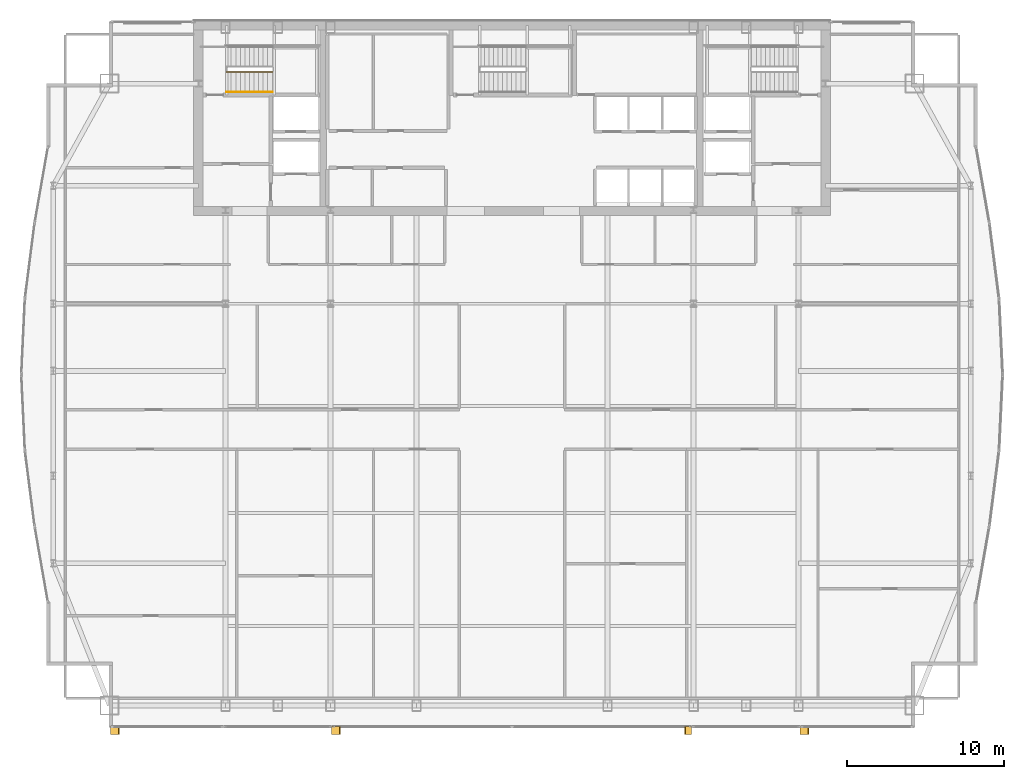
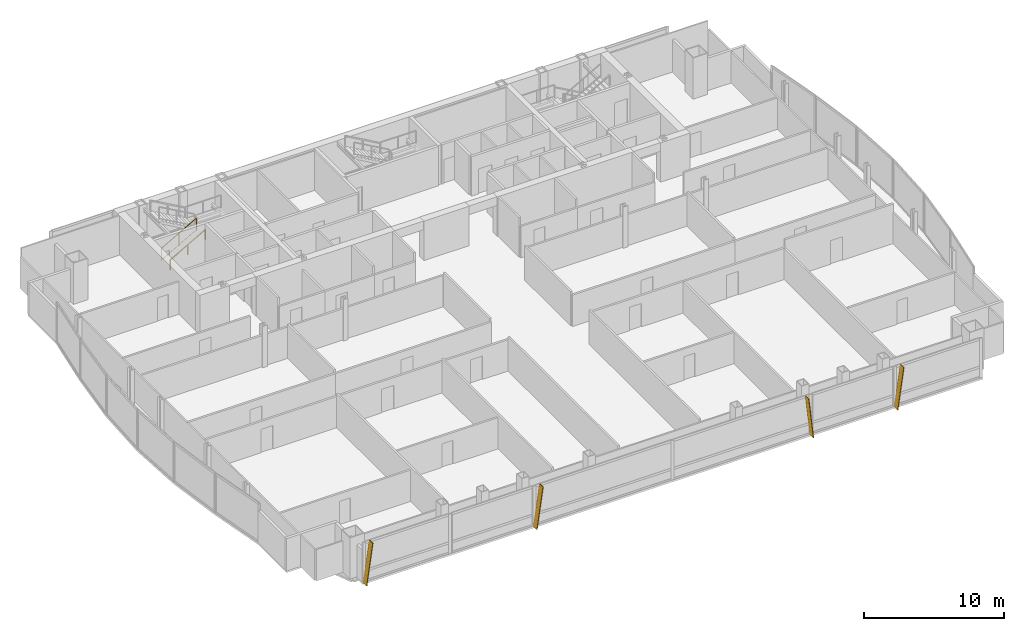
# One storey, part 29 of 30: 4 shading devices, 2 railings.
"""IFC4 building model written with IfcOpenShell, lengths in metres."""

from ifc_helpers import new_model, si_unit, direction, frame, origin, origin_2d, place, context, subcontext, project, spatial, polyline, rectangle, outline, extrude, material, layer, layer_set, type_object, element, save


model = new_model("IFC4")

# Units and contexts
model_context = context("Model", 3, precision=1e-05, world=origin(), true_north=direction((0.0, 1.0)))
body_context = subcontext(model_context, "Body", "Model", "MODEL_VIEW")
ifc_project = project(units=[si_unit("LENGTHUNIT", "METRE"), si_unit("AREAUNIT", "SQUARE_METRE"), si_unit("VOLUMEUNIT", "CUBIC_METRE"), si_unit("PLANEANGLEUNIT", "RADIAN"), si_unit("MASSUNIT", "GRAM", prefix="KILO")], contexts=[model_context])

# Site, building, storey
site_placement = place(None, origin())
site = spatial("IfcSite", under=ifc_project, at=site_placement, CompositionType="ELEMENT")
building_placement = place(site_placement, origin())
building = spatial("IfcBuilding", under=site, at=building_placement, Name="Khoronbel Lancet Exchange", CompositionType="ELEMENT")
storey_placement = place(building_placement, frame((0.0, 0.0, 203.0)))
storey = spatial("IfcBuildingStorey", under=building, at=storey_placement, Name="L51", CompositionType="ELEMENT", Elevation=203.0)

# Railings
ifc_material_1 = material(Name="Painted Steel Balustrade", Category="steel")
railing_type_1 = type_object("IfcRailingType", Name="RL-STG110", PredefinedType="GUARDRAIL", material=ifc_material_1)
railing_1_placement = place(storey_placement, frame((18.300048828125, 50.449951171875, 0.16357421875)))
element("IfcRailing", 1, at=railing_1_placement, inside=storey, type_object=railing_type_1, Name="L51 ST1 stair guard 1", PredefinedType="GUARDRAIL", context=body_context, shape_type="SweptSolid", body=[
    extrude(rectangle(XDim=0.048095703125, YDim=0.048095703125, at=origin_2d()), frame((0.0, 0.0, 1.09619140625), z_axis=(0.870897200241, 0.0, 0.491465224214), x_axis=(0.0, 1.0, 0.0)), (0.0, 0.0, 1.0), 3.329833984375),
    extrude(rectangle(XDim=0.02392578125, YDim=0.02392578125, at=origin_2d()), frame((0.0, 0.0, 0.080078125), z_axis=(0.870897200241, 0.0, 0.491465224214), x_axis=(0.0, 1.0, 0.0)), (0.0, 0.0, 1.0), 3.329833984375),
    extrude(rectangle(XDim=0.0419921875, YDim=0.0419921875, at=origin_2d()), origin(), (0.0, 0.0, 1.0), 1.072021484375),
    extrude(rectangle(XDim=0.0419921875, YDim=0.0419921875, at=origin_2d()), frame((1.449951171875, 0.0, 0.818359375)), (0.0, 0.0, 1.0), 1.072021484375),
    extrude(rectangle(XDim=0.0419921875, YDim=0.0419921875, at=origin_2d()), frame((2.89990234375, 0.0, 1.636474609375)), (0.0, 0.0, 1.0), 1.072021484375),
])
ifc_material_2 = material(Name="Brushed Stainless Steel 316", Category="steel")
railing_type_2 = type_object("IfcRailingType", Name="RL-STH92", PredefinedType="HANDRAIL", material=ifc_material_2)
railing_2_placement = place(storey_placement, frame((18.300048828125, 49.169921875, 0.16357421875)))
element("IfcRailing", 2, at=railing_2_placement, inside=storey, type_object=railing_type_2, Name="L51 ST1 stair handrail 1", PredefinedType="HANDRAIL", context=body_context, shape_type="SweptSolid", body=[
    extrude(rectangle(XDim=0.048095703125, YDim=0.048095703125, at=origin_2d()), frame((0.0, 0.0, 0.8759765625), z_axis=(0.870897200241, 0.0, 0.491465224214), x_axis=(0.0, 1.0, 0.0)), (0.0, 0.0, 1.0), 3.329833984375),
    extrude(rectangle(XDim=0.0419921875, YDim=0.0419921875, at=origin_2d()), origin(), (0.0, 0.0, 1.0), 0.851806640625),
    extrude(rectangle(XDim=0.0419921875, YDim=0.0419921875, at=origin_2d()), frame((1.449951171875, 0.0, 0.818359375)), (0.0, 0.0, 1.0), 0.851806640625),
    extrude(rectangle(XDim=0.0419921875, YDim=0.0419921875, at=origin_2d()), frame((2.89990234375, 0.0, 1.636474609375)), (0.0, 0.0, 1.0), 0.851806640625),
])

# Shading devices
ifc_material_3 = material(Name="Bronze-Anodised Aluminium 6063-T6", Category="aluminium")
ifc_layer = layer(ifc_material_3, 0.054931640625, Name="Bronze-Anodised Aluminium 6063-T6")
ifc_layer_set = layer_set([ifc_layer], Name="Bronze-Anodised Aluminium 6063-T6")
shading_device_type = type_object("IfcShadingDeviceType", Name="SHD-FIN1", PredefinedType="USERDEFINED", material=ifc_layer_set)
for number, where, z_axis, x_axis, name in (
    (3, (10.91259765625, 8.81005859375, -0.080078125), (-0.990092925251, 0.0, 0.140413672296), (0.0, -1.0, 0.0), "Slanted bronze solar fin CW-L51-SWV-0"),
    (4, (24.972412109375, 8.81005859375, -0.080078125), (-0.990083483708, 0.0, 0.140480230955), (0.0, -1.0, 0.0), "Slanted bronze solar fin CW-L51-SCV-0"),
):
    element("IfcShadingDevice", number, at=place(storey_placement, frame(where, z_axis=z_axis, x_axis=x_axis)), inside=storey, type_object=shading_device_type, Name=name, ObjectType="FIN", PredefinedType="USERDEFINED", context=body_context, shape_type="SweptSolid", body=[
        extrude(outline(polyline([(0.0, 0.0), (0.52001953125, 0.0), (0.52001953125, 3.595703125), (0.0, 3.595703125), (0.0, 0.0)])), origin(), (0.0, 0.0, -1.0), 0.054931640625),
    ])
shading_device_1_placement = place(storey_placement, frame((47.87255859375, 8.81005859375, -0.080078125), z_axis=(0.993900347655, 0.0, 0.110281906632), x_axis=(0.0, -1.0, 0.0)))
element("IfcShadingDevice", 5, at=shading_device_1_placement, inside=storey, type_object=shading_device_type, Name="Slanted bronze solar fin CW-L51-SCV-2", ObjectType="FIN", PredefinedType="USERDEFINED", context=body_context, shape_type="SweptSolid", body=[
    extrude(outline(polyline([(0.0, 0.0), (0.52001953125, 0.0), (0.52001953125, -3.581787109375), (0.0, -3.581787109375), (0.0, 0.0)])), origin(), (0.0, 0.0, -1.0), 0.054931640625),
])
shading_device_2_placement = place(storey_placement, frame((54.7724609375, 8.81005859375, -0.080078125), z_axis=(-0.990083483708, 0.0, 0.140480230955), x_axis=(0.0, -1.0, 0.0)))
element("IfcShadingDevice", 6, at=shading_device_2_placement, inside=storey, type_object=shading_device_type, Name="Slanted bronze solar fin CW-L51-SEV-0", ObjectType="FIN", PredefinedType="USERDEFINED", context=body_context, shape_type="SweptSolid", body=[
    extrude(outline(polyline([(0.0, 0.0), (0.52001953125, 0.0), (0.52001953125, 3.595703125), (0.0, 3.595703125), (0.0, 0.0)])), origin(), (0.0, 0.0, -1.0), 0.054931640625),
])

save(model, "model.ifc")
